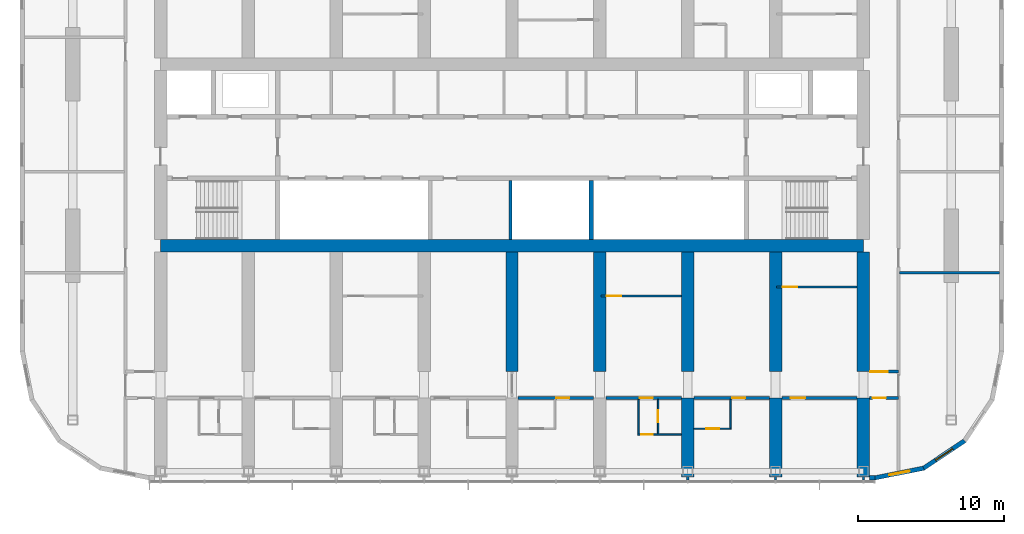
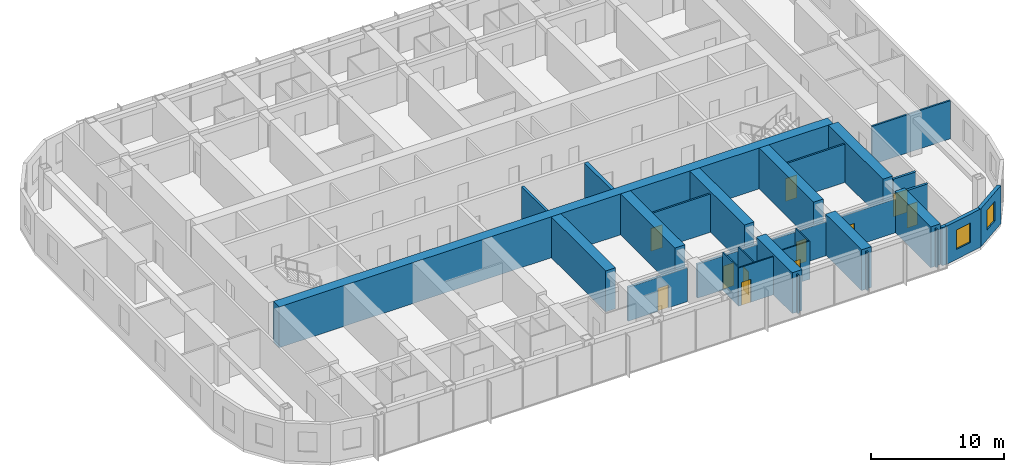
# One storey, part 12 of 22: 31 walls, 11 doors, 2 windows, 13 openings.
"""IFC4 building model written with IfcOpenShell, lengths in metres."""

from ifc_helpers import new_model, si_unit, direction, frame, frame_2d, origin, place, context, subcontext, project, spatial, polyline, rectangle, outline, extrude, material, layer, layer_set, type_object, element, fill, save


model = new_model("IFC4")

# Units and contexts
model_context = context("Model", 3, precision=1e-05, world=origin(), true_north=direction((0.0, 1.0)))
body_context = subcontext(model_context, "Body", "Model", "MODEL_VIEW")
ifc_project = project(units=[si_unit("LENGTHUNIT", "METRE"), si_unit("AREAUNIT", "SQUARE_METRE"), si_unit("VOLUMEUNIT", "CUBIC_METRE"), si_unit("PLANEANGLEUNIT", "RADIAN"), si_unit("MASSUNIT", "GRAM", prefix="KILO")], contexts=[model_context])

# Site, building, storey
site_placement = place(None, origin())
site = spatial("IfcSite", under=ifc_project, at=site_placement, CompositionType="ELEMENT")
building_placement = place(site_placement, origin())
building = spatial("IfcBuilding", under=site, at=building_placement, Name="Orbita Commons", CompositionType="ELEMENT")
storey_placement = place(building_placement, frame((0.0, 0.0, 156.10009765625)))
storey = spatial("IfcBuildingStorey", under=building, at=storey_placement, Name="L38", CompositionType="ELEMENT", Elevation=156.10009765625)

# Walls
ifc_material_1 = material(Name="Concrete C50/60", Category="concrete")
ifc_layer_1 = layer(ifc_material_1, 0.300048828125)
ifc_layer_set_1 = layer_set([ifc_layer_1], Name="Concrete C50/60")
wall_type_1 = type_object("IfcWallType", Name="Core inner wall 300 C50/60", PredefinedType="SHEAR", material=ifc_layer_set_1)
wall_1_placement = place(storey_placement, frame((47.39990234375, 26.22509765625, 0.0), z_axis=(0.0, 0.0, 1.0), x_axis=(0.0, 1.0, 0.0)))
element("IfcWall", 1, at=wall_1_placement, inside=storey, type_object=wall_type_1, Name="Hoistway division wall L38", PredefinedType="SHEAR", context=body_context, shape_type="SweptSolid", body=[
    extrude(rectangle(XDim=4.02490234375, YDim=0.300048828125, at=frame_2d((2.012451171875, 0.0))), origin(), (0.0, 0.0, 1.0), 3.75),
])
ifc_material_2 = material(Name="Concrete C50/60", Category="concrete")
ifc_layer_2 = layer(ifc_material_2, 0.85009765625)
ifc_layer_set_2 = layer_set([ifc_layer_2], Name="Concrete C50/60")
wall_type_2 = type_object("IfcWallType", Name="Core wall 850 C50/60", PredefinedType="SHEAR", material=ifc_layer_set_2)
wall_2_placement = place(storey_placement, frame((18.0, 25.800048828125, 0.0), z_axis=(0.0, 0.0, 1.0), x_axis=(1.0, 0.0, 0.0)))
element("IfcWall", 2, at=wall_2_placement, inside=storey, type_object=wall_type_2, Name="Core spine wall south L38", PredefinedType="SHEAR", context=body_context, shape_type="SweptSolid", body=[
    extrude(rectangle(XDim=48.0, YDim=0.85009765625, at=frame_2d((24.0, 0.0))), origin(), (0.0, 0.0, 1.0), 3.75),
])

# Wall, opening, door
ifc_material_3 = material(Name="Concrete blockwork", Category="masonry")
ifc_layer_3 = layer(ifc_material_3, 0.199951171875)
ifc_layer_set_3 = layer_set([ifc_layer_3], Name="Concrete blockwork")
wall_type_3 = type_object("IfcWallType", Name="Corridor wall 200 blockwork", PredefinedType="SOLIDWALL", material=ifc_layer_set_3)
wall_3_placement = place(storey_placement, frame((42.425048828125, 15.39990234375, 0.0), z_axis=(0.0, 0.0, 1.0), x_axis=(1.0, 0.0, 0.0)))
wall_3 = element("IfcWall", 3, at=wall_3_placement, inside=storey, type_object=wall_type_3, Name="Corridor wall 200 blockwork L38", PredefinedType="SOLIDWALL", context=body_context, shape_type="SweptSolid", body=[
    extrude(outline(polyline([(0.0, 0.0), (5.14990234375, 0.0), (5.14990234375, 3.099853515625), (0.0, 3.099853515625), (0.0, 0.0)])), frame((0.0, 0.10009765625, 0.0), z_axis=(0.0, -1.0, 0.0), x_axis=(1.0, 0.0, 0.0)), (0.0, 0.0, 1.0), 0.199951171875),
])
opening_1_placement = place(wall_3_placement, frame((2.60009765625, 0.0, 0.0)))
opening_1 = element("IfcOpeningElement", 4, at=opening_1_placement, cuts=wall_3, Name="Opening D11", PredefinedType="OPENING", context=body_context, shape_type="SweptSolid", body=[
    extrude(rectangle(XDim=0.89990234375, YDim=2.10009765625, at=frame_2d((0.449951171875, 1.050048828125))), frame((0.0, 0.10986328125, 0.0), z_axis=(0.0, -1.0, 0.0), x_axis=(1.0, 0.0, 0.0)), (0.0, 0.0, 1.0), 0.219970703125),
])
ifc_material_4 = material(Name="Steel-faced fire door leaf", Category="steel")
door_type_1 = type_object("IfcDoorType", Name="Corridor door 20 min 900x2100", OperationType="SINGLE_SWING_LEFT", PredefinedType="DOOR", material=ifc_material_4)
door_1_placement = place(opening_1_placement, origin())
door_1 = element("IfcDoor", 5, at=door_1_placement, inside=storey, type_object=door_type_1, Name="Twin room L38-S08 door", OperationType="SINGLE_SWING_LEFT", OverallHeight=2.10009765625, OverallWidth=0.89990234375, PredefinedType="DOOR", context=body_context, shape_type="SweptSolid", body=[
    extrude(rectangle(XDim=0.89990234375, YDim=2.10009765625, at=frame_2d((0.449951171875, 1.050048828125))), frame((0.0, 0.02490234375, 0.0), z_axis=(0.0, -1.0, 0.0), x_axis=(1.0, 0.0, 0.0)), (0.0, 0.0, 1.0), 0.050048828125),
])
fill(opening_1, door_1)

wall_4_placement = place(storey_placement, frame((48.425048828125, 15.39990234375, 0.0), z_axis=(0.0, 0.0, 1.0), x_axis=(1.0, 0.0, 0.0)))
wall_4 = element("IfcWall", 6, at=wall_4_placement, inside=storey, type_object=wall_type_3, Name="Corridor wall 200 blockwork L38", PredefinedType="SOLIDWALL", context=body_context, shape_type="SweptSolid", body=[
    extrude(outline(polyline([(0.0, 0.0), (5.14990234375, 0.0), (5.14990234375, 3.099853515625), (0.0, 3.099853515625), (0.0, 0.0)])), frame((0.0, 0.10009765625, 0.0), z_axis=(0.0, -1.0, 0.0), x_axis=(1.0, 0.0, 0.0)), (0.0, 0.0, 1.0), 0.199951171875),
])
opening_2_placement = place(wall_4_placement, frame((2.300048828125, 0.0, 0.0)))
opening_2 = element("IfcOpeningElement", 7, at=opening_2_placement, cuts=wall_4, Name="Opening D11", PredefinedType="OPENING", context=body_context, shape_type="SweptSolid", body=[
    extrude(rectangle(XDim=0.89990234375, YDim=2.10009765625, at=frame_2d((0.449951171875, 1.050048828125))), frame((0.0, 0.10986328125, 0.0), z_axis=(0.0, -1.0, 0.0), x_axis=(1.0, 0.0, 0.0)), (0.0, 0.0, 1.0), 0.219970703125),
])
door_2_placement = place(opening_2_placement, origin())
door_2 = element("IfcDoor", 8, at=door_2_placement, inside=storey, type_object=door_type_1, Name="Studio flat L38-S10 entrance door", OperationType="SINGLE_SWING_LEFT", OverallHeight=2.10009765625, OverallWidth=0.89990234375, PredefinedType="DOOR", context=body_context, shape_type="SweptSolid", body=[
    extrude(rectangle(XDim=0.89990234375, YDim=2.10009765625, at=frame_2d((0.449951171875, 1.050048828125))), frame((0.0, 0.02490234375, 0.0), z_axis=(0.0, -1.0, 0.0), x_axis=(1.0, 0.0, 0.0)), (0.0, 0.0, 1.0), 0.050048828125),
])
fill(opening_2, door_2)

wall_5_placement = place(storey_placement, frame((54.425048828125, 15.39990234375, 0.0), z_axis=(0.0, 0.0, 1.0), x_axis=(1.0, 0.0, 0.0)))
wall_5 = element("IfcWall", 9, at=wall_5_placement, inside=storey, type_object=wall_type_3, Name="Corridor wall 200 blockwork L38", PredefinedType="SOLIDWALL", context=body_context, shape_type="SweptSolid", body=[
    extrude(outline(polyline([(0.0, 0.0), (5.14990234375, 0.0), (5.14990234375, 3.099853515625), (0.0, 3.099853515625), (0.0, 0.0)])), frame((0.0, 0.10009765625, 0.0), z_axis=(0.0, -1.0, 0.0), x_axis=(1.0, 0.0, 0.0)), (0.0, 0.0, 1.0), 0.199951171875),
])
opening_3_placement = place(wall_5_placement, frame((2.60009765625, 0.0, 0.0)))
opening_3 = element("IfcOpeningElement", 10, at=opening_3_placement, cuts=wall_5, Name="Opening D11", PredefinedType="OPENING", context=body_context, shape_type="SweptSolid", body=[
    extrude(rectangle(XDim=0.89990234375, YDim=2.10009765625, at=frame_2d((0.449951171875, 1.050048828125))), frame((0.0, 0.10986328125, 0.0), z_axis=(0.0, -1.0, 0.0), x_axis=(1.0, 0.0, 0.0)), (0.0, 0.0, 1.0), 0.219970703125),
])
door_3_placement = place(opening_3_placement, origin())
door_3 = element("IfcDoor", 11, at=door_3_placement, inside=storey, type_object=door_type_1, Name="Twin room L38-S12 door", OperationType="SINGLE_SWING_LEFT", OverallHeight=2.10009765625, OverallWidth=0.89990234375, PredefinedType="DOOR", context=body_context, shape_type="SweptSolid", body=[
    extrude(rectangle(XDim=0.89990234375, YDim=2.10009765625, at=frame_2d((0.449951171875, 1.050048828125))), frame((0.0, 0.02490234375, 0.0), z_axis=(0.0, -1.0, 0.0), x_axis=(1.0, 0.0, 0.0)), (0.0, 0.0, 1.0), 0.050048828125),
])
fill(opening_3, door_3)

wall_6_placement = place(storey_placement, frame((60.425048828125, 15.39990234375, 0.0), z_axis=(0.0, 0.0, 1.0), x_axis=(1.0, 0.0, 0.0)))
wall_6 = element("IfcWall", 12, at=wall_6_placement, inside=storey, type_object=wall_type_3, Name="Corridor wall 200 blockwork L38", PredefinedType="SOLIDWALL", context=body_context, shape_type="SweptSolid", body=[
    extrude(outline(polyline([(0.0, 0.0), (5.14990234375, 0.0), (5.14990234375, 3.099853515625), (0.0, 3.099853515625), (0.0, 0.0)])), frame((0.0, 0.10009765625, 0.0), z_axis=(0.0, -1.0, 0.0), x_axis=(1.0, 0.0, 0.0)), (0.0, 0.0, 1.0), 0.199951171875),
])
opening_4_placement = place(wall_6_placement, frame((0.60009765625, 0.0, 0.0)))
opening_4 = element("IfcOpeningElement", 13, at=opening_4_placement, cuts=wall_6, Name="Opening D06", PredefinedType="OPENING", context=body_context, shape_type="SweptSolid", body=[
    extrude(rectangle(XDim=1.0, YDim=2.10009765625, at=frame_2d((0.5, 1.050048828125))), frame((0.0, 0.10986328125, 0.0), z_axis=(0.0, -1.0, 0.0), x_axis=(1.0, 0.0, 0.0)), (0.0, 0.0, 1.0), 0.219970703125),
])
ifc_material_5 = material(Name="Steel-faced fire door leaf", Category="steel")
door_type_2 = type_object("IfcDoorType", Name="Corridor door 20 min 1000x2100", OperationType="SINGLE_SWING_LEFT", PredefinedType="DOOR", material=ifc_material_5)
door_4_placement = place(opening_4_placement, origin())
door_4 = element("IfcDoor", 14, at=door_4_placement, inside=storey, type_object=door_type_2, Name="Cluster kitchen-diner L38-S14 door", OperationType="SINGLE_SWING_LEFT", OverallHeight=2.10009765625, OverallWidth=1.0, PredefinedType="DOOR", context=body_context, shape_type="SweptSolid", body=[
    extrude(rectangle(XDim=1.0, YDim=2.10009765625, at=frame_2d((0.5, 1.050048828125))), frame((0.0, 0.02490234375, 0.0), z_axis=(0.0, -1.0, 0.0), x_axis=(1.0, 0.0, 0.0)), (0.0, 0.0, 1.0), 0.050048828125),
])
fill(opening_4, door_4)

wall_7_placement = place(storey_placement, frame((66.425048828125, 15.39990234375, 0.0), z_axis=(0.0, 0.0, 1.0), x_axis=(1.0, 0.0, 0.0)))
wall_7 = element("IfcWall", 15, at=wall_7_placement, inside=storey, type_object=wall_type_3, Name="Corridor wall 200 blockwork L38", PredefinedType="SOLIDWALL", context=body_context, shape_type="SweptSolid", body=[
    extrude(rectangle(XDim=1.974853515625, YDim=0.199951171875, at=frame_2d((0.9873046875, 0.0))), origin(), (0.0, 0.0, 1.0), 3.5),
])
opening_5_placement = place(wall_7_placement, frame((0.199951171875, 0.0, 0.0)))
opening_5 = element("IfcOpeningElement", 16, at=opening_5_placement, cuts=wall_7, Name="Opening D05", PredefinedType="OPENING", context=body_context, shape_type="SweptSolid", body=[
    extrude(rectangle(XDim=0.89990234375, YDim=2.10009765625, at=frame_2d((0.449951171875, 1.050048828125))), frame((0.0, 0.10986328125, 0.0), z_axis=(0.0, -1.0, 0.0), x_axis=(1.0, 0.0, 0.0)), (0.0, 0.0, 1.0), 0.219970703125),
])
ifc_material_6 = material(Name="Steel-faced fire door leaf", Category="steel")
door_type_3 = type_object("IfcDoorType", Name="Service door 20 min 900x2100", OperationType="SINGLE_SWING_LEFT", PredefinedType="DOOR", material=ifc_material_6)
door_5_placement = place(opening_5_placement, origin())
door_5 = element("IfcDoor", 17, at=door_5_placement, inside=storey, type_object=door_type_3, Name="Linen store L38-KES door", OperationType="SINGLE_SWING_LEFT", OverallHeight=2.10009765625, OverallWidth=0.89990234375, PredefinedType="DOOR", context=body_context, shape_type="SweptSolid", body=[
    extrude(rectangle(XDim=0.89990234375, YDim=2.10009765625, at=frame_2d((0.449951171875, 1.050048828125))), frame((0.0, 0.02490234375, 0.0), z_axis=(0.0, -1.0, 0.0), x_axis=(1.0, 0.0, 0.0)), (0.0, 0.0, 1.0), 0.050048828125),
])
fill(opening_5, door_5)

ifc_material_7 = material(Name="Hollow concrete block 200", Category="concrete")
ifc_layer_4 = layer(ifc_material_7, 0.199951171875)
ifc_layer_set_4 = layer_set([ifc_layer_4], Name="Hollow concrete block 200")
wall_type_4 = type_object("IfcWallType", Name="Corridor wall 200 hollow concrete block", PredefinedType="SOLIDWALL", material=ifc_layer_set_4)
wall_8_placement = place(storey_placement, frame((66.425048828125, 17.199951171875, 0.0), z_axis=(0.0, 0.0, 1.0), x_axis=(1.0, 0.0, 0.0)))
wall_8 = element("IfcWall", 18, at=wall_8_placement, inside=storey, type_object=wall_type_4, Name="Corridor wall 200 hollow concrete block L38", PredefinedType="SOLIDWALL", context=body_context, shape_type="SweptSolid", body=[
    extrude(rectangle(XDim=1.974853515625, YDim=0.199951171875, at=frame_2d((0.9873046875, 0.0))), origin(), (0.0, 0.0, 1.0), 3.5),
])
opening_6_placement = place(wall_8_placement, frame((0.050048828125, 0.0, 0.0)))
opening_6 = element("IfcOpeningElement", 19, at=opening_6_placement, cuts=wall_8, Name="Opening D12", PredefinedType="OPENING", context=body_context, shape_type="SweptSolid", body=[
    extrude(rectangle(XDim=1.199951171875, YDim=2.10009765625, at=frame_2d((0.60009765625, 1.050048828125))), frame((0.0, 0.10986328125, 0.0), z_axis=(0.0, -1.0, 0.0), x_axis=(1.0, 0.0, 0.0)), (0.0, 0.0, 1.0), 0.219970703125),
])
ifc_material_8 = material(Name="Steel-faced fire door leaf", Category="steel")
door_type_4 = type_object("IfcDoorType", Name="Double corridor door 20 min 1200x2100", OperationType="DOUBLE_DOOR_SINGLE_SWING", PredefinedType="DOOR", material=ifc_material_8)
door_6_placement = place(opening_6_placement, origin())
door_6 = element("IfcDoor", 20, at=door_6_placement, inside=storey, type_object=door_type_4, Name="Cross corridor doors", OperationType="DOUBLE_DOOR_SINGLE_SWING", OverallHeight=2.10009765625, OverallWidth=1.199951171875, PredefinedType="DOOR", context=body_context, shape_type="SweptSolid", body=[
    extrude(rectangle(XDim=1.199951171875, YDim=2.10009765625, at=frame_2d((0.60009765625, 1.050048828125))), frame((0.0, 0.02490234375, 0.0), z_axis=(0.0, -1.0, 0.0), x_axis=(1.0, 0.0, 0.0)), (0.0, 0.0, 1.0), 0.050048828125),
])
fill(opening_6, door_6)

# Walls
ifc_material_9 = material(Name="Concrete C50/60", Category="concrete")
ifc_layer_5 = layer(ifc_material_9, 0.85009765625)
ifc_layer_set_5 = layer_set([ifc_layer_5], Name="Concrete C50/60")
wall_type_5 = type_object("IfcWallType", Name="Cross wall 850 C50/60", PredefinedType="SHEAR", material=ifc_layer_set_5)
for number, where, z_axis, x_axis, name in (
    (21, (42.0, 17.199951171875, 0.0), (0.0, 0.0, 1.0), (0.0, 1.0, 0.0), "Cross wall 8 south inner L38"),
    (22, (48.0, 17.199951171875, 0.0), (0.0, 0.0, 1.0), (0.0, 1.0, 0.0), "Cross wall 9 south inner L38"),
):
    element("IfcWall", number, at=place(storey_placement, frame(where, z_axis=z_axis, x_axis=x_axis)), inside=storey, type_object=wall_type_5, Name=name, PredefinedType="SHEAR", context=body_context, shape_type="SweptSolid", body=[
        extrude(rectangle(XDim=8.175048828125, YDim=0.85009765625, at=frame_2d((4.08740234375, 0.0))), origin(), (0.0, 0.0, 1.0), 3.75),
    ])
wall_9_placement = place(storey_placement, frame((54.0, 10.0, 0.0), z_axis=(0.0, 0.0, 1.0), x_axis=(0.0, 1.0, 0.0)))
element("IfcWall", 23, at=wall_9_placement, inside=storey, type_object=wall_type_5, Name="Cross wall 10 south outer L38", PredefinedType="SHEAR", context=body_context, shape_type="SweptSolid", body=[
    extrude(rectangle(XDim=5.39990234375, YDim=0.85009765625, at=frame_2d((2.699951171875, 0.0))), origin(), (0.0, 0.0, 1.0), 3.75),
])
wall_10_placement = place(storey_placement, frame((54.0, 17.199951171875, 0.0), z_axis=(0.0, 0.0, 1.0), x_axis=(0.0, 1.0, 0.0)))
element("IfcWall", 24, at=wall_10_placement, inside=storey, type_object=wall_type_5, Name="Cross wall 10 south inner L38", PredefinedType="SHEAR", context=body_context, shape_type="SweptSolid", body=[
    extrude(rectangle(XDim=8.175048828125, YDim=0.85009765625, at=frame_2d((4.08740234375, 0.0))), origin(), (0.0, 0.0, 1.0), 3.75),
])
wall_11_placement = place(storey_placement, frame((60.0, 10.0, 0.0), z_axis=(0.0, 0.0, 1.0), x_axis=(0.0, 1.0, 0.0)))
element("IfcWall", 25, at=wall_11_placement, inside=storey, type_object=wall_type_5, Name="Cross wall 11 south outer L38", PredefinedType="SHEAR", context=body_context, shape_type="SweptSolid", body=[
    extrude(rectangle(XDim=5.39990234375, YDim=0.85009765625, at=frame_2d((2.699951171875, 0.0))), origin(), (0.0, 0.0, 1.0), 3.75),
])
wall_12_placement = place(storey_placement, frame((60.0, 17.199951171875, 0.0), z_axis=(0.0, 0.0, 1.0), x_axis=(0.0, 1.0, 0.0)))
element("IfcWall", 26, at=wall_12_placement, inside=storey, type_object=wall_type_5, Name="Cross wall 11 south inner L38", PredefinedType="SHEAR", context=body_context, shape_type="SweptSolid", body=[
    extrude(rectangle(XDim=8.175048828125, YDim=0.85009765625, at=frame_2d((4.08740234375, 0.0))), origin(), (0.0, 0.0, 1.0), 3.75),
])
wall_13_placement = place(storey_placement, frame((66.0, 10.0, 0.0), z_axis=(0.0, 0.0, 1.0), x_axis=(0.0, 1.0, 0.0)))
element("IfcWall", 27, at=wall_13_placement, inside=storey, type_object=wall_type_5, Name="Cross wall 12 south outer L38", PredefinedType="SHEAR", context=body_context, shape_type="SweptSolid", body=[
    extrude(rectangle(XDim=5.39990234375, YDim=0.85009765625, at=frame_2d((2.699951171875, 0.0))), origin(), (0.0, 0.0, 1.0), 3.75),
])
wall_14_placement = place(storey_placement, frame((66.0, 17.199951171875, 0.0), z_axis=(0.0, 0.0, 1.0), x_axis=(0.0, 1.0, 0.0)))
element("IfcWall", 28, at=wall_14_placement, inside=storey, type_object=wall_type_5, Name="Cross wall 12 south inner L38", PredefinedType="SHEAR", context=body_context, shape_type="SweptSolid", body=[
    extrude(rectangle(XDim=8.175048828125, YDim=0.85009765625, at=frame_2d((4.08740234375, 0.0))), origin(), (0.0, 0.0, 1.0), 3.75),
])

# Wall, opening, door
ifc_material_10 = material(Name="Moisture-resistant plasterboard on steel studs", Category="steel")
ifc_layer_6 = layer(ifc_material_10, 0.10009765625)
ifc_layer_set_6 = layer_set([ifc_layer_6], Name="Moisture-resistant plasterboard on steel studs")
wall_type_6 = type_object("IfcWallType", Name="En-suite partition 100", PredefinedType="PARTITIONING", material=ifc_layer_set_6)
wall_15_placement = place(storey_placement, frame((53.574951171875, 12.89990234375, 0.0), z_axis=(0.0, 0.0, 1.0), x_axis=(-1.0, 0.0, 0.0)))
wall_15 = element("IfcWall", 29, at=wall_15_placement, inside=storey, type_object=wall_type_6, Name="En-suite partition 100 L38", PredefinedType="PARTITIONING", context=body_context, shape_type="SweptSolid", body=[
    extrude(rectangle(XDim=3.0, YDim=0.10009765625, at=frame_2d((1.5, 0.0))), origin(), (0.0, 0.0, 1.0), 3.5),
])
opening_7_placement = place(wall_15_placement, frame((1.949951171875, 0.0, 0.0)))
opening_7 = element("IfcOpeningElement", 30, at=opening_7_placement, cuts=wall_15, Name="Opening D16", PredefinedType="OPENING", context=body_context, shape_type="SweptSolid", body=[
    extrude(rectangle(XDim=0.800048828125, YDim=2.10009765625, at=frame_2d((0.39990234375, 1.050048828125))), frame((0.0, 0.06005859375, 0.0), z_axis=(0.0, -1.0, 0.0), x_axis=(1.0, 0.0, 0.0)), (0.0, 0.0, 1.0), 0.1201171875),
])
ifc_material_11 = material(Name="Laminated timber door leaf", Category="wood")
door_type_5 = type_object("IfcDoorType", Name="En-suite door 800x2100", OperationType="SINGLE_SWING_RIGHT", PredefinedType="DOOR", material=ifc_material_11)
door_7_placement = place(opening_7_placement, origin())
door_7 = element("IfcDoor", 31, at=door_7_placement, inside=storey, type_object=door_type_5, Name="Studio flat L38-S10 door", OperationType="SINGLE_SWING_RIGHT", OverallHeight=2.10009765625, OverallWidth=0.800048828125, PredefinedType="DOOR", context=body_context, shape_type="SweptSolid", body=[
    extrude(rectangle(XDim=0.800048828125, YDim=2.10009765625, at=frame_2d((0.39990234375, 1.050048828125))), frame((0.0, 0.02490234375, 0.0), z_axis=(0.0, -1.0, 0.0), x_axis=(1.0, 0.0, 0.0)), (0.0, 0.0, 1.0), 0.050048828125),
])
fill(opening_7, door_7)

# Wall
wall_16_placement = place(storey_placement, frame((50.625, 12.949951171875, 0.0), z_axis=(0.0, 0.0, 1.0), x_axis=(0.0, 1.0, 0.0)))
element("IfcWall", 32, at=wall_16_placement, inside=storey, type_object=wall_type_6, Name="En-suite partition 100 L38", PredefinedType="PARTITIONING", context=body_context, shape_type="SweptSolid", body=[
    extrude(outline(polyline([(0.0, 0.0), (2.35009765625, 0.0), (2.35009765625, 3.099853515625), (2.302001953125, 3.099853515625), (2.300048828125, 3.5), (0.0, 3.5), (0.0, 0.0)])), frame((0.0, 0.050048828125, 0.0), z_axis=(0.0, -1.0, 0.0), x_axis=(1.0, 0.0, 0.0)), (0.0, 0.0, 1.0), 0.10009765625),
])

# Wall, opening, door
wall_17_placement = place(storey_placement, frame((51.97509765625, 12.949951171875, 0.0), z_axis=(0.0, 0.0, 1.0), x_axis=(0.0, 1.0, 0.0)))
wall_17 = element("IfcWall", 33, at=wall_17_placement, inside=storey, type_object=wall_type_6, Name="En-suite partition 100 L38", PredefinedType="PARTITIONING", context=body_context, shape_type="SweptSolid", body=[
    extrude(outline(polyline([(0.0, 0.0), (2.35009765625, 0.0), (2.35009765625, 3.099853515625), (2.302001953125, 3.099853515625), (2.300048828125, 3.5), (0.0, 3.5), (0.0, 0.0)])), frame((0.0, 0.050048828125, 0.0), z_axis=(0.0, -1.0, 0.0), x_axis=(1.0, 0.0, 0.0)), (0.0, 0.0, 1.0), 0.10009765625),
])
opening_8_placement = place(wall_17_placement, frame((0.800048828125, 0.0, 0.0)))
opening_8 = element("IfcOpeningElement", 34, at=opening_8_placement, cuts=wall_17, Name="Opening D16", PredefinedType="OPENING", context=body_context, shape_type="SweptSolid", body=[
    extrude(rectangle(XDim=0.800048828125, YDim=2.10009765625, at=frame_2d((0.39990234375, 1.050048828125))), frame((0.0, 0.06005859375, 0.0), z_axis=(0.0, -1.0, 0.0), x_axis=(1.0, 0.0, 0.0)), (0.0, 0.0, 1.0), 0.1201171875),
])
door_8_placement = place(opening_8_placement, origin())
door_8 = element("IfcDoor", 35, at=door_8_placement, inside=storey, type_object=door_type_5, Name="Studio flat shower room L38-S10 door", OperationType="SINGLE_SWING_RIGHT", OverallHeight=2.10009765625, OverallWidth=0.800048828125, PredefinedType="DOOR", context=body_context, shape_type="SweptSolid", body=[
    extrude(rectangle(XDim=0.800048828125, YDim=2.10009765625, at=frame_2d((0.39990234375, 1.050048828125))), frame((0.0, 0.02490234375, 0.0), z_axis=(0.0, -1.0, 0.0), x_axis=(1.0, 0.0, 0.0)), (0.0, 0.0, 1.0), 0.050048828125),
])
fill(opening_8, door_8)

wall_18_placement = place(storey_placement, frame((56.97509765625, 13.300048828125, 0.0), z_axis=(0.0, 0.0, 1.0), x_axis=(-1.0, 0.0, 0.0)))
wall_18 = element("IfcWall", 36, at=wall_18_placement, inside=storey, type_object=wall_type_6, Name="En-suite partition 100 L38", PredefinedType="PARTITIONING", context=body_context, shape_type="SweptSolid", body=[
    extrude(rectangle(XDim=2.550048828125, YDim=0.10009765625, at=frame_2d((1.27490234375, 0.0))), origin(), (0.0, 0.0, 1.0), 3.5),
])
opening_9_placement = place(wall_18_placement, frame((0.824951171875, 0.0, 0.0)))
opening_9 = element("IfcOpeningElement", 37, at=opening_9_placement, cuts=wall_18, Name="Opening D09", PredefinedType="OPENING", context=body_context, shape_type="SweptSolid", body=[
    extrude(rectangle(XDim=0.89990234375, YDim=2.10009765625, at=frame_2d((0.449951171875, 1.050048828125))), frame((0.0, 0.06005859375, 0.0), z_axis=(0.0, -1.0, 0.0), x_axis=(1.0, 0.0, 0.0)), (0.0, 0.0, 1.0), 0.1201171875),
])
ifc_material_12 = material(Name="Laminated timber door leaf", Category="wood")
door_type_6 = type_object("IfcDoorType", Name="En-suite door 900x2100", OperationType="SINGLE_SWING_RIGHT", PredefinedType="DOOR", material=ifc_material_12)
door_9_placement = place(opening_9_placement, origin())
door_9 = element("IfcDoor", 38, at=door_9_placement, inside=storey, type_object=door_type_6, Name="En-suite L38-S12 door", OperationType="SINGLE_SWING_RIGHT", OverallHeight=2.10009765625, OverallWidth=0.89990234375, PredefinedType="DOOR", context=body_context, shape_type="SweptSolid", body=[
    extrude(rectangle(XDim=0.89990234375, YDim=2.10009765625, at=frame_2d((0.449951171875, 1.050048828125))), frame((0.0, 0.02490234375, 0.0), z_axis=(0.0, -1.0, 0.0), x_axis=(1.0, 0.0, 0.0)), (0.0, 0.0, 1.0), 0.050048828125),
])
fill(opening_9, door_9)

# Wall
wall_19_placement = place(storey_placement, frame((56.925048828125, 13.35009765625, 0.0), z_axis=(0.0, 0.0, 1.0), x_axis=(0.0, 1.0, 0.0)))
element("IfcWall", 39, at=wall_19_placement, inside=storey, type_object=wall_type_6, Name="En-suite partition 100 L38", PredefinedType="PARTITIONING", context=body_context, shape_type="SweptSolid", body=[
    extrude(outline(polyline([(0.0, 0.0), (1.949951171875, 0.0), (1.949951171875, 3.099853515625), (1.902099609375, 3.099853515625), (1.89990234375, 3.5), (0.0, 3.5), (0.0, 0.0)])), frame((0.0, 0.050048828125, 0.0), z_axis=(0.0, -1.0, 0.0), x_axis=(1.0, 0.0, 0.0)), (0.0, 0.0, 1.0), 0.10009765625),
])

# Wall, opening, door
ifc_material_13 = material(Name="Gypsum plasterboard on steel studs", Category="steel")
ifc_layer_7 = layer(ifc_material_13, 0.14990234375)
ifc_layer_set_7 = layer_set([ifc_layer_7], Name="Gypsum plasterboard on steel studs")
wall_type_7 = type_object("IfcWallType", Name="Partition 150 plasterboard", PredefinedType="PARTITIONING", material=ifc_layer_set_7)
wall_20_placement = place(storey_placement, frame((48.074951171875, 22.375, 0.0), z_axis=(0.0, 0.0, 1.0), x_axis=(1.0, 0.0, 0.0)))
wall_20 = element("IfcWall", 40, at=wall_20_placement, inside=storey, type_object=wall_type_7, Name="Partition 150 plasterboard L38", PredefinedType="PARTITIONING", context=body_context, shape_type="SweptSolid", body=[
    extrude(rectangle(XDim=5.5, YDim=0.14990234375, at=frame_2d((2.75, 0.0))), origin(), (0.0, 0.0, 1.0), 3.5),
])
opening_10_placement = place(wall_20_placement, frame((0.39990234375, 0.0, 0.0)))
opening_10 = element("IfcOpeningElement", 41, at=opening_10_placement, cuts=wall_20, Name="Opening D18", PredefinedType="OPENING", context=body_context, shape_type="SweptSolid", body=[
    extrude(rectangle(XDim=1.0, YDim=2.10009765625, at=frame_2d((0.5, 1.050048828125))), frame((0.0, 0.0849609375, 0.0), z_axis=(0.0, -1.0, 0.0), x_axis=(1.0, 0.0, 0.0)), (0.0, 0.0, 1.0), 0.169921875),
])
ifc_material_14 = material(Name="Steel-faced fire door leaf", Category="steel")
door_type_7 = type_object("IfcDoorType", Name="Service door 20 min 1000x2100", OperationType="SINGLE_SWING_LEFT", PredefinedType="DOOR", material=ifc_material_14)
door_10_placement = place(opening_10_placement, origin())
door_10 = element("IfcDoor", 42, at=door_10_placement, inside=storey, type_object=door_type_7, Name="Refuse and recycling room L38-BDS48 door", OperationType="SINGLE_SWING_LEFT", OverallHeight=2.10009765625, OverallWidth=1.0, PredefinedType="DOOR", context=body_context, shape_type="SweptSolid", body=[
    extrude(rectangle(XDim=1.0, YDim=2.10009765625, at=frame_2d((0.5, 1.050048828125))), frame((0.0, 0.02490234375, 0.0), z_axis=(0.0, -1.0, 0.0), x_axis=(1.0, 0.0, 0.0)), (0.0, 0.0, 1.0), 0.050048828125),
])
fill(opening_10, door_10)

wall_21_placement = place(storey_placement, frame((60.074951171875, 22.97509765625, 0.0), z_axis=(0.0, 0.0, 1.0), x_axis=(1.0, 0.0, 0.0)))
wall_21 = element("IfcWall", 43, at=wall_21_placement, inside=storey, type_object=wall_type_7, Name="Partition 150 plasterboard L38", PredefinedType="PARTITIONING", context=body_context, shape_type="SweptSolid", body=[
    extrude(rectangle(XDim=5.5, YDim=0.14990234375, at=frame_2d((2.75, 0.0))), origin(), (0.0, 0.0, 1.0), 3.5),
])
opening_11_placement = place(wall_21_placement, frame((0.39990234375, 0.0, 0.0)))
opening_11 = element("IfcOpeningElement", 44, at=opening_11_placement, cuts=wall_21, Name="Opening D18", PredefinedType="OPENING", context=body_context, shape_type="SweptSolid", body=[
    extrude(rectangle(XDim=1.0, YDim=2.10009765625, at=frame_2d((0.5, 1.050048828125))), frame((0.0, 0.0849609375, 0.0), z_axis=(0.0, -1.0, 0.0), x_axis=(1.0, 0.0, 0.0)), (0.0, 0.0, 1.0), 0.169921875),
])
door_11_placement = place(opening_11_placement, origin())
door_11 = element("IfcDoor", 45, at=door_11_placement, inside=storey, type_object=door_type_7, Name="Cleaners store L38-BDS60 door", OperationType="SINGLE_SWING_LEFT", OverallHeight=2.10009765625, OverallWidth=1.0, PredefinedType="DOOR", context=body_context, shape_type="SweptSolid", body=[
    extrude(rectangle(XDim=1.0, YDim=2.10009765625, at=frame_2d((0.5, 1.050048828125))), frame((0.0, 0.02490234375, 0.0), z_axis=(0.0, -1.0, 0.0), x_axis=(1.0, 0.0, 0.0)), (0.0, 0.0, 1.0), 0.050048828125),
])
fill(opening_11, door_11)

# Walls
wall_22_placement = place(storey_placement, frame((68.47509765625, 23.9599609375, 0.0), z_axis=(0.0, 0.0, 1.0), x_axis=(1.0, 0.0, 0.0)))
element("IfcWall", 46, at=wall_22_placement, inside=storey, type_object=wall_type_7, Name="Partition 150 plasterboard L38", PredefinedType="PARTITIONING", context=body_context, shape_type="SweptSolid", body=[
    extrude(rectangle(XDim=6.81982421875, YDim=0.14990234375, at=frame_2d((3.409912109375, 0.0))), origin(), (0.0, 0.0, 1.0), 3.5),
])
for number, where, z_axis, x_axis, name in (
    (47, (54.0, 10.050048828125, 0.0), (0.0, 0.0, 1.0), (0.0, -1.0, 0.0), "Partition 150 plasterboard L38"),
    (48, (60.0, 10.050048828125, 0.0), (0.0, 0.0, 1.0), (0.0, -1.0, 0.0), "Partition 150 plasterboard L38"),
    (49, (66.0, 10.050048828125, 0.0), (0.0, 0.0, 1.0), (0.0, -1.0, 0.0), "Partition 150 plasterboard L38"),
):
    element("IfcWall", number, at=place(storey_placement, frame(where, z_axis=z_axis, x_axis=x_axis)), inside=storey, type_object=wall_type_7, Name=name, PredefinedType="PARTITIONING", context=body_context, shape_type="SweptSolid", body=[
        extrude(rectangle(XDim=0.239990234375, YDim=0.14990234375, at=frame_2d((0.1201171875, 0.0))), origin(), (0.0, 0.0, 1.0), 3.5),
    ])

# Wall, opening, window
ifc_material_15 = material(Name="Precast concrete C40/50, white board-marked finish", Category="concrete")
ifc_layer_8 = layer(ifc_material_15, 0.300048828125)
ifc_layer_set_8 = layer_set([ifc_layer_8], Name="Precast concrete C40/50, white board-marked finish")
wall_type_8 = type_object("IfcWallType", Name="Precast concrete end shield 300", PredefinedType="SOLIDWALL", material=ifc_layer_set_8)
wall_23_placement = place(storey_placement, frame((66.800048828125, 9.949951171875, 0.0), z_axis=(0.0, 0.0, 1.0), x_axis=(0.98078325777, 0.195100490205, 0.0)))
wall_23 = element("IfcWall", 50, at=wall_23_placement, inside=storey, type_object=wall_type_8, Name="End shield SE chord 1 L38", PredefinedType="SOLIDWALL", context=body_context, shape_type="SweptSolid", body=[
    extrude(outline(polyline([(-0.02978515625, -0.14990234375), (3.40478515625, -0.14990234375), (3.34521484375, 0.14990234375), (0.02978515625, 0.14990234375), (-0.02978515625, -0.14990234375)])), origin(), (0.0, 0.0, 1.0), 3.5),
])
opening_12_placement = place(wall_23_placement, frame((0.987548828125, 0.0, 0.89990234375)))
opening_12 = element("IfcOpeningElement", 51, at=opening_12_placement, cuts=wall_23, Name="Opening W02", PredefinedType="OPENING", context=body_context, shape_type="SweptSolid", body=[
    extrude(rectangle(XDim=1.39990234375, YDim=1.800048828125, at=frame_2d((0.699951171875, 0.89990234375))), frame((0.0, 0.159912109375, 0.0), z_axis=(0.0, -1.0, 0.0), x_axis=(1.0, 0.0, 0.0)), (0.0, 0.0, 1.0), 0.320068359375),
])
ifc_material_16 = material(Name="Aluminium frame, clear double glazing", Category="aluminium")
window_type = type_object("IfcWindowType", Name="Deep-set window 1400x1800", PartitioningType="SINGLE_PANEL", PredefinedType="WINDOW", material=ifc_material_16)
window_1_placement = place(opening_12_placement, origin())
window_1 = element("IfcWindow", 52, at=window_1_placement, inside=storey, type_object=window_type, Name="Window L38-SE0", OverallHeight=1.800048828125, OverallWidth=1.39990234375, PartitioningType="SINGLE_PANEL", PredefinedType="WINDOW", context=body_context, shape_type="SweptSolid", body=[
    extrude(rectangle(XDim=1.39990234375, YDim=1.800048828125, at=frame_2d((0.699951171875, 0.89990234375))), frame((0.0, 0.030029296875, 0.0), z_axis=(0.0, -1.0, 0.0), x_axis=(1.0, 0.0, 0.0)), (0.0, 0.0, 1.0), 0.06005859375),
])
fill(opening_12, window_1)

wall_24_placement = place(storey_placement, frame((70.110107421875, 10.6083984375, 0.0), z_axis=(0.0, 0.0, 1.0), x_axis=(0.831493450887, 0.555534554399, 0.0)))
wall_24 = element("IfcWall", 53, at=wall_24_placement, inside=storey, type_object=wall_type_8, Name="End shield SE chord 2 L38", PredefinedType="SOLIDWALL", context=body_context, shape_type="SweptSolid", body=[
    extrude(outline(polyline([(-0.02978515625, -0.14990234375), (3.405029296875, -0.14990234375), (3.345458984375, 0.14990234375), (0.02978515625, 0.14990234375), (-0.02978515625, -0.14990234375)])), origin(), (0.0, 0.0, 1.0), 3.5),
])
opening_13_placement = place(wall_24_placement, frame((0.987548828125, 0.0, 0.89990234375)))
opening_13 = element("IfcOpeningElement", 54, at=opening_13_placement, cuts=wall_24, Name="Opening W02", PredefinedType="OPENING", context=body_context, shape_type="SweptSolid", body=[
    extrude(rectangle(XDim=1.39990234375, YDim=1.800048828125, at=frame_2d((0.699951171875, 0.89990234375))), frame((0.0, 0.159912109375, 0.0), z_axis=(0.0, -1.0, 0.0), x_axis=(1.0, 0.0, 0.0)), (0.0, 0.0, 1.0), 0.320068359375),
])
window_2_placement = place(opening_13_placement, origin())
window_2 = element("IfcWindow", 55, at=window_2_placement, inside=storey, type_object=window_type, Name="Window L38-SE1", OverallHeight=1.800048828125, OverallWidth=1.39990234375, PartitioningType="SINGLE_PANEL", PredefinedType="WINDOW", context=body_context, shape_type="SweptSolid", body=[
    extrude(rectangle(XDim=1.39990234375, YDim=1.800048828125, at=frame_2d((0.699951171875, 0.89990234375))), frame((0.0, 0.030029296875, 0.0), z_axis=(0.0, -1.0, 0.0), x_axis=(1.0, 0.0, 0.0)), (0.0, 0.0, 1.0), 0.06005859375),
])
fill(opening_13, window_2)

# Walls
wall_25_placement = place(storey_placement, frame((66.800048828125, 9.949951171875, 0.0), z_axis=(0.0, 0.0, 1.0), x_axis=(-1.0, 0.0, 0.0)))
element("IfcWall", 56, at=wall_25_placement, inside=storey, type_object=wall_type_8, Name="End shield SE closer L38", PredefinedType="SOLIDWALL", context=body_context, shape_type="SweptSolid", body=[
    extrude(rectangle(XDim=0.375, YDim=0.300048828125, at=frame_2d((0.1875, 0.0))), origin(), (0.0, 0.0, 1.0), 3.5),
])
ifc_material_17 = material(Name="Concrete blockwork, fully filled", Category="masonry")
ifc_layer_9 = layer(ifc_material_17, 0.199951171875)
ifc_layer_set_9 = layer_set([ifc_layer_9], Name="Concrete blockwork, fully filled")
wall_type_9 = type_object("IfcWallType", Name="Shaft partition 200 blockwork", PredefinedType="SOLIDWALL", material=ifc_layer_set_9)
wall_26_placement = place(storey_placement, frame((41.89990234375, 26.22509765625, 0.0), z_axis=(0.0, 0.0, 1.0), x_axis=(0.0, 1.0, 0.0)))
element("IfcWall", 57, at=wall_26_placement, inside=storey, type_object=wall_type_9, Name="Shaft partition 200 blockwork L38", PredefinedType="SOLIDWALL", context=body_context, shape_type="SweptSolid", body=[
    extrude(rectangle(XDim=4.02490234375, YDim=0.199951171875, at=frame_2d((2.012451171875, 0.0))), origin(), (0.0, 0.0, 1.0), 3.5),
])

save(model, "model.ifc")
